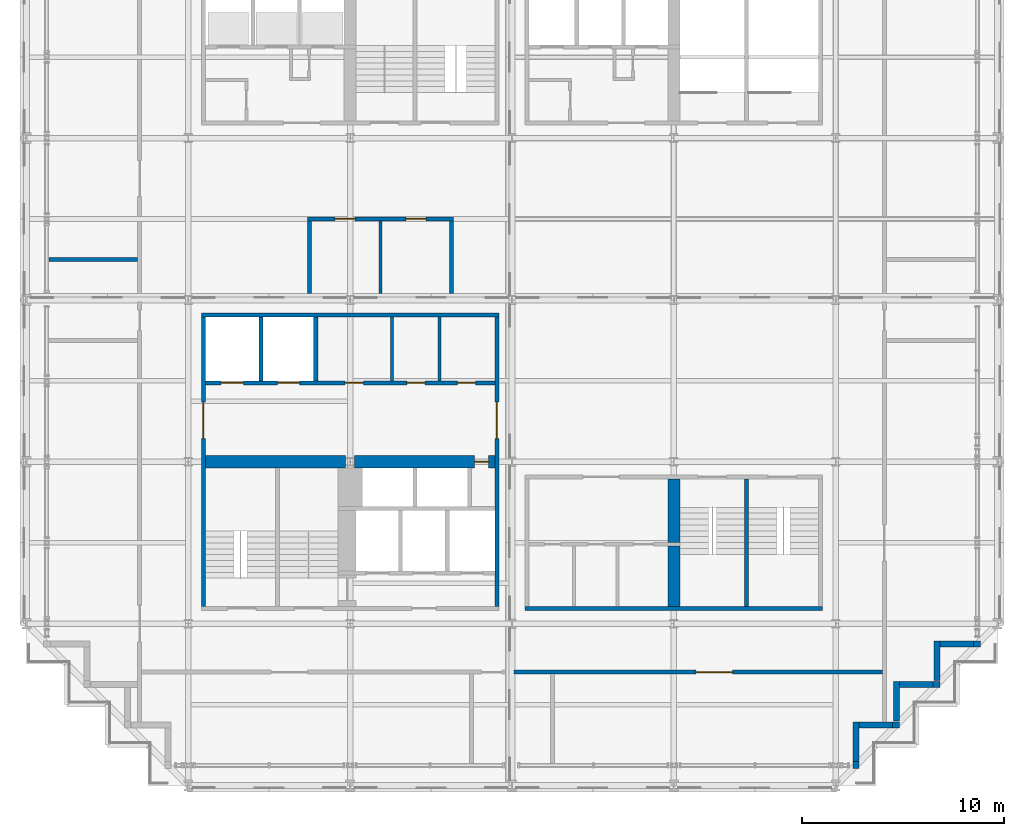
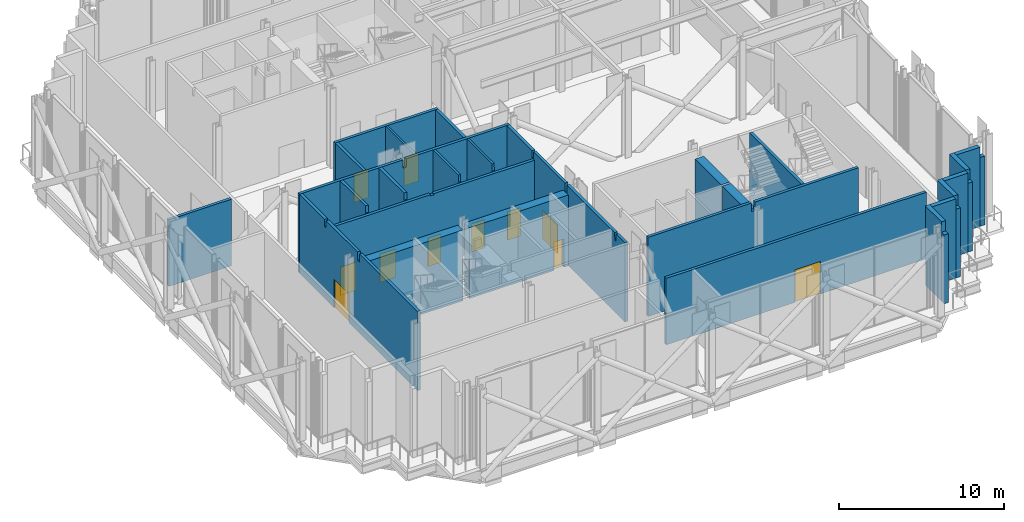
# One storey, part 18 of 25: 30 walls, 11 doors, 11 openings.
"""IFC4 building model written with IfcOpenShell, lengths in metres."""

from ifc_helpers import new_model, si_unit, direction, frame, frame_2d, origin, place, context, subcontext, project, spatial, polyline, rectangle, outline, extrude, material, layer, layer_set, type_object, element, fill, save


model = new_model("IFC4")

# Units and contexts
model_context = context("Model", 3, precision=1e-05, world=origin(), true_north=direction((0.0, 1.0)))
body_context = subcontext(model_context, "Body", "Model", "MODEL_VIEW")
ifc_project = project(units=[si_unit("LENGTHUNIT", "METRE"), si_unit("AREAUNIT", "SQUARE_METRE"), si_unit("VOLUMEUNIT", "CUBIC_METRE"), si_unit("PLANEANGLEUNIT", "RADIAN"), si_unit("MASSUNIT", "GRAM", prefix="KILO")], contexts=[model_context])

# Site, building, storey
site_placement = place(None, origin())
site = spatial("IfcSite", under=ifc_project, at=site_placement, CompositionType="ELEMENT")
building_placement = place(site_placement, origin())
building = spatial("IfcBuilding", under=site, at=building_placement, Name="Immortelle Media Tower", CompositionType="ELEMENT")
storey_placement = place(building_placement, frame((0.0, 0.0, 114.0)))
storey = spatial("IfcBuildingStorey", under=building, at=storey_placement, Name="L22", CompositionType="ELEMENT", Elevation=114.0)

# Wall, opening, door
ifc_material_1 = material(Name="Fire-rated masonry blockwork", Category="masonry")
ifc_layer_1 = layer(ifc_material_1, 0.60009765625)
ifc_layer_set_1 = layer_set([ifc_layer_1], Name="Fire-rated masonry blockwork")
wall_type_1 = type_object("IfcWallType", Name="Core grid-line wall 600", PredefinedType="PARTITIONING", material=ifc_layer_set_1)
wall_1_placement = place(storey_placement, frame((16.22705078125, 16.0, 0.0), z_axis=(0.0, 0.0, 1.0), x_axis=(1.0, 0.0, 0.0)))
wall_1 = element("IfcWall", 1, at=wall_1_placement, inside=storey, type_object=wall_type_1, Name="Core grid-line wall SW", PredefinedType="PARTITIONING", context=body_context, shape_type="SweptSolid", body=[
    extrude(rectangle(XDim=6.9228515625, YDim=0.60009765625, at=frame_2d((3.46142578125, 0.0))), origin(), (0.0, 0.0, 1.0), 5.23193359375),
])
opening_1_placement = place(wall_1_placement, frame((6.623046875, 0.0, 0.0), z_axis=(0.0, 0.0, 1.0), x_axis=(-1.0, 0.0, 0.0)))
opening_1 = element("IfcOpeningElement", 2, at=opening_1_placement, cuts=wall_1, Name="Opening L22-K014", PredefinedType="OPENING", context=body_context, shape_type="SweptSolid", body=[
    extrude(rectangle(XDim=0.699951171875, YDim=2.10009765625, at=frame_2d((0.35009765625, 1.050048828125))), frame((0.0, 0.31005859375, 0.0), z_axis=(0.0, -1.0, 0.0), x_axis=(1.0, 0.0, 0.0)), (0.0, 0.0, 1.0), 0.6201171875),
])
ifc_material_2 = material(Name="Galvanised steel door leaf and frame ASTM A653", Category="steel")
door_type_1 = type_object("IfcDoorType", Name="Service door 700 x 2100", OperationType="NOTDEFINED", PredefinedType="NOTDEFINED", material=ifc_material_2)
door_1_placement = place(opening_1_placement, origin())
door_1 = element("IfcDoor", 3, at=door_1_placement, inside=storey, type_object=door_type_1, Name="Service L22-K014", OperationType="SINGLE_SWING_RIGHT", OverallHeight=2.10009765625, OverallWidth=0.699951171875, PredefinedType="NOTDEFINED", context=body_context, shape_type="SweptSolid", body=[
    extrude(rectangle(XDim=0.699951171875, YDim=2.10009765625, at=frame_2d((0.35009765625, 1.050048828125))), frame((0.0, 0.02490234375, 0.0), z_axis=(0.0, -1.0, 0.0), x_axis=(1.0, 0.0, 0.0)), (0.0, 0.0, 1.0), 0.050048828125),
])
fill(opening_1, door_1)

# Walls
ifc_material_3 = material(Name="Fire-rated gypsum board", Category="gypsum")
ifc_layer_2 = layer(ifc_material_3, 0.02490234375)
ifc_material_4 = material(Name="Steel ASTM A653 SS Gr 50 stud frame with mineral wool", Category="steel")
ifc_layer_3 = layer(ifc_material_4, 0.10009765625)
ifc_layer_4 = layer(ifc_material_3, 0.02490234375)
ifc_layer_set_2 = layer_set([ifc_layer_2, ifc_layer_3, ifc_layer_4], Name="Steel ASTM A653 SS Gr 50 stud frame with mineral wool")
wall_type_2 = type_object("IfcWallType", Name="Core partition 150", PredefinedType="PARTITIONING", material=ifc_layer_set_2)
for number, where, z_axis, x_axis, name in (
    (4, (18.074951171875, 20.0, 0.0), (0.0, 0.0, 1.0), (0.0, 1.0, 0.0), "Core partition SW"),
    (5, (20.425048828125, 20.0, 0.0), (0.0, 0.0, 1.0), (0.0, 1.0, 0.0), "Core partition SW"),
):
    element("IfcWall", number, at=place(storey_placement, frame(where, z_axis=z_axis, x_axis=x_axis)), inside=storey, type_object=wall_type_2, Name=name, PredefinedType="PARTITIONING", context=body_context, shape_type="SweptSolid", body=[
        extrude(outline(polyline([(0.0, 0.0), (3.14990234375, 0.0), (3.14990234375, 5.85009765625), (0.08740234375, 5.85009765625), (0.08642578125, 5.318115234375), (0.0, 5.318115234375), (0.0, 0.0)])), frame((0.0, 0.074951171875, 0.0), z_axis=(0.0, -1.0, 0.0), x_axis=(1.0, 0.0, 0.0)), (0.0, 0.0, 1.0), 0.14990234375),
    ])
ifc_layer_5 = layer(ifc_material_3, 0.03759765625)
ifc_layer_6 = layer(ifc_material_4, 0.125)
ifc_layer_7 = layer(ifc_material_3, 0.03759765625)
ifc_layer_set_3 = layer_set([ifc_layer_5, ifc_layer_6, ifc_layer_7], Name="Steel ASTM A653 SS Gr 50 stud frame with mineral wool")
wall_type_3 = type_object("IfcWallType", Name="Core shaft wall 200", PredefinedType="PARTITIONING", material=ifc_layer_set_3)
wall_2_placement = place(storey_placement, frame((8.64990234375, 23.25, 0.0), z_axis=(0.0, 0.0, 1.0), x_axis=(1.0, 0.0, 0.0)))
element("IfcWall", 6, at=wall_2_placement, inside=storey, type_object=wall_type_3, Name="Core shaft wall SW", PredefinedType="PARTITIONING", context=body_context, shape_type="SweptSolid", body=[
    extrude(outline(polyline([(0.0, 0.0), (14.7001953125, 0.0), (14.699951171875, 5.85009765625), (7.469482421875, 5.85009765625), (7.468505859375, 5.23193359375), (7.2314453125, 5.23193359375), (7.23046875, 5.85009765625), (0.0, 5.85009765625), (0.0, 0.0)])), frame((0.0, 0.10009765625, 0.0), z_axis=(0.0, -1.0, 0.0), x_axis=(1.0, 0.0, 0.0)), (0.0, 0.0, 1.0), 0.199951171875),
])

# Wall, openings, doors
wall_3_placement = place(storey_placement, frame((8.85009765625, 19.89990234375, 0.0), z_axis=(0.0, 0.0, 1.0), x_axis=(1.0, 0.0, 0.0)))
wall_3 = element("IfcWall", 7, at=wall_3_placement, inside=storey, type_object=wall_type_3, Name="Core shaft wall SW", PredefinedType="PARTITIONING", context=body_context, shape_type="SweptSolid", body=[
    extrude(outline(polyline([(0.0, 0.0), (14.2998046875, 0.0), (14.300048828125, 5.318115234375), (7.26953125, 5.318115234375), (7.2685546875, 5.23193359375), (7.031494140625, 5.23193359375), (7.030517578125, 5.318115234375), (0.0, 5.318115234375), (0.0, 0.0)])), frame((0.0, 0.10009765625, 0.0), z_axis=(0.0, -1.0, 0.0), x_axis=(1.0, 0.0, 0.0)), (0.0, 0.0, 1.0), 0.199951171875),
])
opening_2_placement = place(wall_3_placement, frame((0.77490234375, 0.0, 0.0)))
opening_2 = element("IfcOpeningElement", 8, at=opening_2_placement, cuts=wall_3, Name="Opening LD", PredefinedType="OPENING", context=body_context, shape_type="SweptSolid", body=[
    extrude(rectangle(XDim=1.10009765625, YDim=2.10009765625, at=frame_2d((0.550048828125, 1.050048828125))), frame((0.0, 0.10986328125, 0.0), z_axis=(0.0, -1.0, 0.0), x_axis=(1.0, 0.0, 0.0)), (0.0, 0.0, 1.0), 0.219970703125),
])
opening_3_placement = place(wall_3_placement, frame((3.550048828125, 0.0, 0.0)))
opening_3 = element("IfcOpeningElement", 9, at=opening_3_placement, cuts=wall_3, Name="Opening LD", PredefinedType="OPENING", context=body_context, shape_type="SweptSolid", body=[
    extrude(rectangle(XDim=1.10009765625, YDim=2.10009765625, at=frame_2d((0.550048828125, 1.050048828125))), frame((0.0, 0.10986328125, 0.0), z_axis=(0.0, -1.0, 0.0), x_axis=(1.0, 0.0, 0.0)), (0.0, 0.0, 1.0), 0.219970703125),
])
opening_4_placement = place(wall_3_placement, frame((6.89990234375, 0.0, 0.0)))
opening_4 = element("IfcOpeningElement", 10, at=opening_4_placement, cuts=wall_3, Name="Opening L22-K007", PredefinedType="OPENING", context=body_context, shape_type="SweptSolid", body=[
    extrude(rectangle(XDim=0.89990234375, YDim=2.10009765625, at=frame_2d((0.449951171875, 1.050048828125))), frame((0.0, 0.10986328125, 0.0), z_axis=(0.0, -1.0, 0.0), x_axis=(1.0, 0.0, 0.0)), (0.0, 0.0, 1.0), 0.219970703125),
])
opening_5_placement = place(wall_3_placement, frame((9.949951171875, 0.0, 0.0)))
opening_5 = element("IfcOpeningElement", 11, at=opening_5_placement, cuts=wall_3, Name="Opening L22-K009", PredefinedType="OPENING", context=body_context, shape_type="SweptSolid", body=[
    extrude(rectangle(XDim=0.89990234375, YDim=2.10009765625, at=frame_2d((0.449951171875, 1.050048828125))), frame((0.0, 0.10986328125, 0.0), z_axis=(0.0, -1.0, 0.0), x_axis=(1.0, 0.0, 0.0)), (0.0, 0.0, 1.0), 0.219970703125),
])
opening_6_placement = place(wall_3_placement, frame((12.449951171875, 0.0, 0.0)))
opening_6 = element("IfcOpeningElement", 12, at=opening_6_placement, cuts=wall_3, Name="Opening L22-K012", PredefinedType="OPENING", context=body_context, shape_type="SweptSolid", body=[
    extrude(rectangle(XDim=0.89990234375, YDim=2.10009765625, at=frame_2d((0.449951171875, 1.050048828125))), frame((0.0, 0.10986328125, 0.0), z_axis=(0.0, -1.0, 0.0), x_axis=(1.0, 0.0, 0.0)), (0.0, 0.0, 1.0), 0.219970703125),
])
ifc_material_5 = material(Name="Stainless steel AISI 304", Category="steel")
door_type_2 = type_object("IfcDoorType", Name="Landing door 1100 x 2100", OperationType="SLIDING_TO_LEFT", PredefinedType="NOTDEFINED", material=ifc_material_5)
door_2_placement = place(opening_2_placement, origin())
door_2 = element("IfcDoor", 13, at=door_2_placement, inside=storey, type_object=door_type_2, Name="Landing door SA1 L22", OperationType="SLIDING_TO_LEFT", OverallHeight=2.10009765625, OverallWidth=1.10009765625, PredefinedType="NOTDEFINED", context=body_context, shape_type="SweptSolid", body=[
    extrude(rectangle(XDim=1.10009765625, YDim=2.10009765625, at=frame_2d((0.550048828125, 1.050048828125))), frame((0.0, 0.02490234375, 0.0), z_axis=(0.0, -1.0, 0.0), x_axis=(1.0, 0.0, 0.0)), (0.0, 0.0, 1.0), 0.050048828125),
])
fill(opening_2, door_2)
door_3_placement = place(opening_3_placement, origin())
door_3 = element("IfcDoor", 14, at=door_3_placement, inside=storey, type_object=door_type_2, Name="Landing door SA2 L22", OperationType="SLIDING_TO_LEFT", OverallHeight=2.10009765625, OverallWidth=1.10009765625, PredefinedType="NOTDEFINED", context=body_context, shape_type="SweptSolid", body=[
    extrude(rectangle(XDim=1.10009765625, YDim=2.10009765625, at=frame_2d((0.550048828125, 1.050048828125))), frame((0.0, 0.02490234375, 0.0), z_axis=(0.0, -1.0, 0.0), x_axis=(1.0, 0.0, 0.0)), (0.0, 0.0, 1.0), 0.050048828125),
])
fill(opening_3, door_3)
ifc_material_6 = material(Name="Timber", Category="wood")
door_type_3 = type_object("IfcDoorType", Name="Room door 900 x 2100", OperationType="NOTDEFINED", PredefinedType="NOTDEFINED", material=ifc_material_6)
door_4_placement = place(opening_4_placement, origin())
door_4 = element("IfcDoor", 15, at=door_4_placement, inside=storey, type_object=door_type_3, Name="Room L22-K007", OperationType="SINGLE_SWING_LEFT", OverallHeight=2.10009765625, OverallWidth=0.89990234375, PredefinedType="NOTDEFINED", context=body_context, shape_type="SweptSolid", body=[
    extrude(rectangle(XDim=0.89990234375, YDim=2.10009765625, at=frame_2d((0.449951171875, 1.050048828125))), frame((0.0, 0.02490234375, 0.0), z_axis=(0.0, -1.0, 0.0), x_axis=(1.0, 0.0, 0.0)), (0.0, 0.0, 1.0), 0.050048828125),
])
fill(opening_4, door_4)
door_type_4 = type_object("IfcDoorType", Name="Toilet door 900 x 2100", OperationType="NOTDEFINED", PredefinedType="NOTDEFINED", material=ifc_material_6)
door_5_placement = place(opening_5_placement, origin())
door_5 = element("IfcDoor", 16, at=door_5_placement, inside=storey, type_object=door_type_4, Name="Toilet L22-K009", OperationType="SINGLE_SWING_RIGHT", OverallHeight=2.10009765625, OverallWidth=0.89990234375, PredefinedType="NOTDEFINED", context=body_context, shape_type="SweptSolid", body=[
    extrude(rectangle(XDim=0.89990234375, YDim=2.10009765625, at=frame_2d((0.449951171875, 1.050048828125))), frame((0.0, 0.02490234375, 0.0), z_axis=(0.0, -1.0, 0.0), x_axis=(1.0, 0.0, 0.0)), (0.0, 0.0, 1.0), 0.050048828125),
])
fill(opening_5, door_5)
door_6_placement = place(opening_6_placement, origin())
door_6 = element("IfcDoor", 17, at=door_6_placement, inside=storey, type_object=door_type_4, Name="Toilet L22-K012", OperationType="SINGLE_SWING_LEFT", OverallHeight=2.10009765625, OverallWidth=0.89990234375, PredefinedType="NOTDEFINED", context=body_context, shape_type="SweptSolid", body=[
    extrude(rectangle(XDim=0.89990234375, YDim=2.10009765625, at=frame_2d((0.449951171875, 1.050048828125))), frame((0.0, 0.02490234375, 0.0), z_axis=(0.0, -1.0, 0.0), x_axis=(1.0, 0.0, 0.0)), (0.0, 0.0, 1.0), 0.050048828125),
])
fill(opening_6, door_6)

# Walls
for number, where, z_axis, x_axis, name in (
    (18, (11.60009765625, 20.0, 0.0), (0.0, 0.0, 1.0), (0.0, 1.0, 0.0), "Core shaft wall SW"),
    (19, (14.300048828125, 20.0, 0.0), (0.0, 0.0, 1.0), (0.0, 1.0, 0.0), "Core shaft wall SW"),
):
    element("IfcWall", number, at=place(storey_placement, frame(where, z_axis=z_axis, x_axis=x_axis)), inside=storey, type_object=wall_type_3, Name=name, PredefinedType="PARTITIONING", context=body_context, shape_type="SweptSolid", body=[
        extrude(outline(polyline([(0.0, 0.0), (3.14990234375, 0.0), (3.14990234375, 5.85009765625), (0.08740234375, 5.85009765625), (0.08642578125, 5.318115234375), (0.0, 5.318115234375), (0.0, 0.0)])), frame((0.0, 0.10009765625, 0.0), z_axis=(0.0, -1.0, 0.0), x_axis=(1.0, 0.0, 0.0)), (0.0, 0.0, 1.0), 0.199951171875),
    ])

# Wall, opening, door
wall_4_placement = place(storey_placement, frame((23.25, 8.85009765625, 0.0), z_axis=(0.0, 0.0, 1.0), x_axis=(0.0, 1.0, 0.0)))
wall_4 = element("IfcWall", 20, at=wall_4_placement, inside=storey, type_object=wall_type_3, Name="Core shaft wall SW", PredefinedType="PARTITIONING", context=body_context, shape_type="SweptSolid", body=[
    extrude(outline(polyline([(0.0, 0.0), (14.2998046875, 0.0), (14.300048828125, 5.85009765625), (11.237548828125, 5.85009765625), (11.236572265625, 5.318115234375), (11.0634765625, 5.318115234375), (11.0625, 5.85009765625), (7.26953125, 5.85009765625), (7.2685546875, 5.23193359375), (7.031494140625, 5.23193359375), (7.030517578125, 5.85009765625), (1.237548828125, 5.85009765625), (1.236572265625, 5.318115234375), (1.0634765625, 5.318115234375), (1.0625, 5.85009765625), (0.0, 5.85009765625), (0.0, 0.0)])), frame((0.0, 0.10009765625, 0.0), z_axis=(0.0, -1.0, 0.0), x_axis=(1.0, 0.0, 0.0)), (0.0, 0.0, 1.0), 0.199951171875),
])
opening_7_placement = place(wall_4_placement, frame((8.300048828125, 0.0, 0.0)))
opening_7 = element("IfcOpeningElement", 21, at=opening_7_placement, cuts=wall_4, Name="Opening L22-K015", PredefinedType="OPENING", context=body_context, shape_type="SweptSolid", body=[
    extrude(rectangle(XDim=1.800048828125, YDim=2.10009765625, at=frame_2d((0.89990234375, 1.050048828125))), frame((0.0, 0.10986328125, 0.0), z_axis=(0.0, -1.0, 0.0), x_axis=(1.0, 0.0, 0.0)), (0.0, 0.0, 1.0), 0.219970703125),
])
door_type_5 = type_object("IfcDoorType", Name="Lift lobby door 1800 x 2100", OperationType="DOUBLE_DOOR_SINGLE_SWING", PredefinedType="NOTDEFINED", material=ifc_material_2)
door_7_placement = place(opening_7_placement, origin())
door_7 = element("IfcDoor", 22, at=door_7_placement, inside=storey, type_object=door_type_5, Name="Lift lobby L22-K015", OperationType="DOUBLE_DOOR_SINGLE_SWING", OverallHeight=2.10009765625, OverallWidth=1.800048828125, PredefinedType="NOTDEFINED", context=body_context, shape_type="SweptSolid", body=[
    extrude(rectangle(XDim=1.800048828125, YDim=2.10009765625, at=frame_2d((0.89990234375, 1.050048828125))), frame((0.0, 0.02490234375, 0.0), z_axis=(0.0, -1.0, 0.0), x_axis=(1.0, 0.0, 0.0)), (0.0, 0.0, 1.0), 0.050048828125),
])
fill(opening_7, door_7)

# Wall
ifc_layer_8 = layer(ifc_material_3, 0.03759765625)
ifc_layer_9 = layer(ifc_material_4, 0.125)
ifc_layer_10 = layer(ifc_material_3, 0.03759765625)
ifc_layer_set_4 = layer_set([ifc_layer_8, ifc_layer_9, ifc_layer_10], Name="Steel ASTM A653 SS Gr 50 stud frame with mineral wool")
wall_type_4 = type_object("IfcWallType", Name="Fire-resisting wall 200", PredefinedType="PARTITIONING", material=ifc_layer_set_4)
wall_5_placement = place(storey_placement, frame((1.10498046875, 26.0, 0.0), z_axis=(0.0, 0.0, 1.0), x_axis=(1.0, 0.0, 0.0)))
element("IfcWall", 23, at=wall_5_placement, inside=storey, type_object=wall_type_4, Name="Fire-resisting wall L22-2", PredefinedType="PARTITIONING", context=body_context, shape_type="SweptSolid", body=[
    extrude(rectangle(XDim=4.39501953125, YDim=0.199951171875, at=frame_2d((2.197509765625, 0.0))), origin(), (0.0, 0.0, 1.0), 4.923095703125),
])

# Wall, opening, door
wall_6_placement = place(storey_placement, frame((24.094970703125, 5.60009765625, 0.0), z_axis=(0.0, 0.0, 1.0), x_axis=(1.0, 0.0, 0.0)))
wall_6 = element("IfcWall", 24, at=wall_6_placement, inside=storey, type_object=wall_type_4, Name="Fire-resisting wall L22-4B", PredefinedType="PARTITIONING", context=body_context, shape_type="SweptSolid", body=[
    extrude(rectangle(XDim=18.205078125, YDim=0.199951171875, at=frame_2d((9.1025390625, 0.0))), origin(), (0.0, 0.0, 1.0), 4.923095703125),
])
opening_8_placement = place(wall_6_placement, frame((9.0048828125, 0.0, 0.0)))
opening_8 = element("IfcOpeningElement", 25, at=opening_8_placement, cuts=wall_6, Name="Opening L22-X06", PredefinedType="OPENING", context=body_context, shape_type="SweptSolid", body=[
    extrude(rectangle(XDim=1.800048828125, YDim=2.39990234375, at=frame_2d((0.89990234375, 1.199951171875))), frame((0.0, 0.10986328125, 0.0), z_axis=(0.0, -1.0, 0.0), x_axis=(1.0, 0.0, 0.0)), (0.0, 0.0, 1.0), 0.219970703125),
])
door_type_6 = type_object("IfcDoorType", Name="Fire double door 1800 x 2400", OperationType="DOUBLE_DOOR_SINGLE_SWING", PredefinedType="DOOR", material=ifc_material_2)
door_8_placement = place(opening_8_placement, origin())
door_8 = element("IfcDoor", 26, at=door_8_placement, inside=storey, type_object=door_type_6, Name="Door L22-X06", OperationType="DOUBLE_DOOR_SINGLE_SWING", OverallHeight=2.39990234375, OverallWidth=1.800048828125, PredefinedType="DOOR", context=body_context, shape_type="SweptSolid", body=[
    extrude(rectangle(XDim=1.800048828125, YDim=2.39990234375, at=frame_2d((0.89990234375, 1.199951171875))), frame((0.0, 0.02490234375, 0.0), z_axis=(0.0, -1.0, 0.0), x_axis=(1.0, 0.0, 0.0)), (0.0, 0.0, 1.0), 0.050048828125),
])
fill(opening_8, door_8)

# Wall, openings, doors
wall_7_placement = place(storey_placement, frame((13.89990234375, 28.0, 0.0), z_axis=(0.0, 0.0, 1.0), x_axis=(1.0, 0.0, 0.0)))
wall_7 = element("IfcWall", 27, at=wall_7_placement, inside=storey, type_object=wall_type_4, Name="Fire-resisting wall L22-6", PredefinedType="PARTITIONING", context=body_context, shape_type="SweptSolid", body=[
    extrude(rectangle(XDim=7.2001953125, YDim=0.199951171875, at=frame_2d((3.60009765625, 0.0))), origin(), (0.0, 0.0, 1.0), 4.923095703125),
])
opening_9_placement = place(wall_7_placement, frame((1.35009765625, 0.0, 0.0)))
opening_9 = element("IfcOpeningElement", 28, at=opening_9_placement, cuts=wall_7, Name="Opening L22-X13", PredefinedType="OPENING", context=body_context, shape_type="SweptSolid", body=[
    extrude(rectangle(XDim=1.0, YDim=2.10009765625, at=frame_2d((0.5, 1.050048828125))), frame((0.0, 0.10986328125, 0.0), z_axis=(0.0, -1.0, 0.0), x_axis=(1.0, 0.0, 0.0)), (0.0, 0.0, 1.0), 0.219970703125),
])
opening_10_placement = place(wall_7_placement, frame((4.85009765625, 0.0, 0.0)))
opening_10 = element("IfcOpeningElement", 29, at=opening_10_placement, cuts=wall_7, Name="Opening L22-X14", PredefinedType="OPENING", context=body_context, shape_type="SweptSolid", body=[
    extrude(rectangle(XDim=1.0, YDim=2.10009765625, at=frame_2d((0.5, 1.050048828125))), frame((0.0, 0.10986328125, 0.0), z_axis=(0.0, -1.0, 0.0), x_axis=(1.0, 0.0, 0.0)), (0.0, 0.0, 1.0), 0.219970703125),
])
door_type_7 = type_object("IfcDoorType", Name="Fire door 1000 x 2100", OperationType="NOTDEFINED", PredefinedType="DOOR", material=ifc_material_2)
door_9_placement = place(opening_9_placement, origin())
door_9 = element("IfcDoor", 30, at=door_9_placement, inside=storey, type_object=door_type_7, Name="Door L22-X13", OperationType="SINGLE_SWING_LEFT", OverallHeight=2.10009765625, OverallWidth=1.0, PredefinedType="DOOR", context=body_context, shape_type="SweptSolid", body=[
    extrude(rectangle(XDim=1.0, YDim=2.10009765625, at=frame_2d((0.5, 1.050048828125))), frame((0.0, 0.02490234375, 0.0), z_axis=(0.0, -1.0, 0.0), x_axis=(1.0, 0.0, 0.0)), (0.0, 0.0, 1.0), 0.050048828125),
])
fill(opening_9, door_9)
door_10_placement = place(opening_10_placement, origin())
door_10 = element("IfcDoor", 31, at=door_10_placement, inside=storey, type_object=door_type_7, Name="Door L22-X14", OperationType="SINGLE_SWING_RIGHT", OverallHeight=2.10009765625, OverallWidth=1.0, PredefinedType="DOOR", context=body_context, shape_type="SweptSolid", body=[
    extrude(rectangle(XDim=1.0, YDim=2.10009765625, at=frame_2d((0.5, 1.050048828125))), frame((0.0, 0.02490234375, 0.0), z_axis=(0.0, -1.0, 0.0), x_axis=(1.0, 0.0, 0.0)), (0.0, 0.0, 1.0), 0.050048828125),
])
fill(opening_10, door_10)

# Walls
for number, where, z_axis, x_axis, name in (
    (32, (14.0, 24.321044921875, 0.0), (0.0, 0.0, 1.0), (0.0, 1.0, 0.0), "Fire-resisting wall L22-7"),
    (33, (21.0, 24.321044921875, 0.0), (0.0, 0.0, 1.0), (0.0, 1.0, 0.0), "Fire-resisting wall L22-9"),
):
    element("IfcWall", number, at=place(storey_placement, frame(where, z_axis=z_axis, x_axis=x_axis)), inside=storey, type_object=wall_type_4, Name=name, PredefinedType="PARTITIONING", context=body_context, shape_type="SweptSolid", body=[
        extrude(rectangle(XDim=3.578857421875, YDim=0.199951171875, at=frame_2d((1.78955078125, 0.0))), origin(), (0.0, 0.0, 1.0), 4.923095703125),
    ])
ifc_material_7 = material(Name="Pale aluminium cladding panel", Category="aluminium")
ifc_layer_11 = layer(ifc_material_7, 0.030029296875)
ifc_layer_12 = layer(ifc_material_4, 0.257568359375)
ifc_material_8 = material(Name="Moisture-resistant gypsum board", Category="gypsum")
ifc_layer_13 = layer(ifc_material_8, 0.012451171875)
ifc_layer_set_5 = layer_set([ifc_layer_11, ifc_layer_12, ifc_layer_13], Name="Steel ASTM A653 SS Gr 50 stud frame with mineral wool")
wall_type_5 = type_object("IfcWallType", Name="Pale metal clad wall 300", PredefinedType="STANDARD", material=ifc_layer_set_5)
wall_8_placement = place(storey_placement, frame((41.0, 0.85009765625, 0.0), z_axis=(0.0, 0.0, 1.0), x_axis=(0.0, 1.0, 0.0)))
element("IfcWall", 34, at=wall_8_placement, inside=storey, type_object=wall_type_5, Name="Plant corner wall L22 E 8-1", PredefinedType="STANDARD", context=body_context, shape_type="SweptSolid", body=[
    extrude(rectangle(XDim=0.338623046875, YDim=0.300048828125, at=frame_2d((0.16943359375, 0.0))), origin(), (0.0, 0.0, 1.0), 5.08740234375),
])
wall_9_placement = place(storey_placement, frame((41.0, 1.188720703125, 0.0), z_axis=(0.0, 0.0, 1.0), x_axis=(0.0, 1.0, 0.0)))
element("IfcWall", 35, at=wall_9_placement, inside=storey, type_object=wall_type_5, Name="Plant corner wall L22 E 8-2", PredefinedType="STANDARD", context=body_context, shape_type="SweptSolid", body=[
    extrude(rectangle(XDim=1.961181640625, YDim=0.300048828125, at=frame_2d((0.98046875, 0.0))), origin(), (0.0, 0.0, 1.0), 5.849609375),
])
wall_10_placement = place(storey_placement, frame((41.14990234375, 3.0, 0.0), z_axis=(0.0, 0.0, 1.0), x_axis=(1.0, 0.0, 0.0)))
element("IfcWall", 36, at=wall_10_placement, inside=storey, type_object=wall_type_5, Name="Plant corner wall L22 S 9-1", PredefinedType="STANDARD", context=body_context, shape_type="SweptSolid", body=[
    extrude(rectangle(XDim=1.661376953125, YDim=0.300048828125, at=frame_2d((0.83056640625, 0.0))), origin(), (0.0, 0.0, 1.0), 5.849609375),
])
wall_11_placement = place(storey_placement, frame((42.811279296875, 3.0, 0.0), z_axis=(0.0, 0.0, 1.0), x_axis=(1.0, 0.0, 0.0)))
element("IfcWall", 37, at=wall_11_placement, inside=storey, type_object=wall_type_5, Name="Plant corner wall L22 S 9-2", PredefinedType="STANDARD", context=body_context, shape_type="SweptSolid", body=[
    extrude(rectangle(XDim=0.338623046875, YDim=0.300048828125, at=frame_2d((0.16943359375, 0.0))), origin(), (0.0, 0.0, 1.0), 5.08740234375),
])
wall_12_placement = place(storey_placement, frame((43.0, 3.188720703125, 0.0), z_axis=(0.0, 0.0, 1.0), x_axis=(0.0, 1.0, 0.0)))
element("IfcWall", 38, at=wall_12_placement, inside=storey, type_object=wall_type_5, Name="Plant corner wall L22 E 10-2", PredefinedType="STANDARD", context=body_context, shape_type="SweptSolid", body=[
    extrude(rectangle(XDim=1.961181640625, YDim=0.300048828125, at=frame_2d((0.98046875, 0.0))), origin(), (0.0, 0.0, 1.0), 5.849609375),
])
wall_13_placement = place(storey_placement, frame((43.14990234375, 5.0, 0.0), z_axis=(0.0, 0.0, 1.0), x_axis=(1.0, 0.0, 0.0)))
element("IfcWall", 39, at=wall_13_placement, inside=storey, type_object=wall_type_5, Name="Plant corner wall L22 S 11-1", PredefinedType="STANDARD", context=body_context, shape_type="SweptSolid", body=[
    extrude(rectangle(XDim=1.661376953125, YDim=0.300048828125, at=frame_2d((0.83056640625, 0.0))), origin(), (0.0, 0.0, 1.0), 5.849609375),
])
wall_14_placement = place(storey_placement, frame((44.811279296875, 5.0, 0.0), z_axis=(0.0, 0.0, 1.0), x_axis=(1.0, 0.0, 0.0)))
element("IfcWall", 40, at=wall_14_placement, inside=storey, type_object=wall_type_5, Name="Plant corner wall L22 S 11-2", PredefinedType="STANDARD", context=body_context, shape_type="SweptSolid", body=[
    extrude(rectangle(XDim=0.338623046875, YDim=0.300048828125, at=frame_2d((0.16943359375, 0.0))), origin(), (0.0, 0.0, 1.0), 5.08740234375),
])
wall_15_placement = place(storey_placement, frame((45.0, 5.188720703125, 0.0), z_axis=(0.0, 0.0, 1.0), x_axis=(0.0, 1.0, 0.0)))
element("IfcWall", 41, at=wall_15_placement, inside=storey, type_object=wall_type_5, Name="Plant corner wall L22 E 12-2", PredefinedType="STANDARD", context=body_context, shape_type="SweptSolid", body=[
    extrude(rectangle(XDim=1.961181640625, YDim=0.300048828125, at=frame_2d((0.98046875, 0.0))), origin(), (0.0, 0.0, 1.0), 5.849609375),
])
wall_16_placement = place(storey_placement, frame((45.14990234375, 7.0, 0.0), z_axis=(0.0, 0.0, 1.0), x_axis=(1.0, 0.0, 0.0)))
element("IfcWall", 42, at=wall_16_placement, inside=storey, type_object=wall_type_5, Name="Plant corner wall L22 S 13-1", PredefinedType="STANDARD", context=body_context, shape_type="SweptSolid", body=[
    extrude(rectangle(XDim=1.661376953125, YDim=0.300048828125, at=frame_2d((0.83056640625, 0.0))), origin(), (0.0, 0.0, 1.0), 5.849609375),
])
wall_17_placement = place(storey_placement, frame((46.811279296875, 7.0, 0.0), z_axis=(0.0, 0.0, 1.0), x_axis=(1.0, 0.0, 0.0)))
element("IfcWall", 43, at=wall_17_placement, inside=storey, type_object=wall_type_5, Name="Plant corner wall L22 S 13-2", PredefinedType="STANDARD", context=body_context, shape_type="SweptSolid", body=[
    extrude(rectangle(XDim=0.338623046875, YDim=0.300048828125, at=frame_2d((0.16943359375, 0.0))), origin(), (0.0, 0.0, 1.0), 5.08740234375),
])
ifc_material_9 = material(Name="Gypsum board", Category="gypsum")
ifc_layer_14 = layer(ifc_material_9, 0.012451171875)
ifc_layer_15 = layer(ifc_material_4, 0.125)
ifc_layer_16 = layer(ifc_material_9, 0.012451171875)
ifc_layer_set_6 = layer_set([ifc_layer_14, ifc_layer_15, ifc_layer_16], Name="Steel ASTM A653 SS Gr 50 stud frame with mineral wool")
wall_type_6 = type_object("IfcWallType", Name="Partition 150", PredefinedType="PARTITIONING", material=ifc_layer_set_6)
wall_18_placement = place(storey_placement, frame((17.5, 24.321044921875, 0.0), z_axis=(0.0, 0.0, 1.0), x_axis=(0.0, 1.0, 0.0)))
element("IfcWall", 44, at=wall_18_placement, inside=storey, type_object=wall_type_6, Name="Partition L22-8", PredefinedType="PARTITIONING", context=body_context, shape_type="SweptSolid", body=[
    extrude(rectangle(XDim=3.578857421875, YDim=0.14990234375, at=frame_2d((1.78955078125, 0.0))), origin(), (0.0, 0.0, 1.0), 4.923095703125),
])

# Wall, opening, door
ifc_material_10 = material(Name="Concrete C60", Category="concrete")
ifc_layer_17 = layer(ifc_material_10, 0.199951171875)
ifc_layer_set_7 = layer_set([ifc_layer_17], Name="Concrete C60")
wall_type_7 = type_object("IfcWallType", Name="Stair shaft wall 200", PredefinedType="PARTITIONING", material=ifc_layer_set_7)
wall_19_placement = place(storey_placement, frame((8.75, 8.85009765625, 0.0), z_axis=(0.0, 0.0, 1.0), x_axis=(0.0, 1.0, 0.0)))
wall_19 = element("IfcWall", 45, at=wall_19_placement, inside=storey, type_object=wall_type_7, Name="Stair shaft wall SW", PredefinedType="PARTITIONING", context=body_context, shape_type="SweptSolid", body=[
    extrude(outline(polyline([(0.0, 0.0), (14.2998046875, 0.0), (14.300048828125, 5.85009765625), (11.237548828125, 5.85009765625), (11.236572265625, 5.318115234375), (11.0634765625, 5.318115234375), (11.0625, 5.85009765625), (7.26953125, 5.85009765625), (7.2685546875, 5.23193359375), (7.031494140625, 5.23193359375), (7.030517578125, 5.85009765625), (0.0, 5.85009765625), (0.0, 0.0)])), frame((0.0, 0.10009765625, 0.0), z_axis=(0.0, -1.0, 0.0), x_axis=(1.0, 0.0, 0.0)), (0.0, 0.0, 1.0), 0.199951171875),
])
opening_11_placement = place(wall_19_placement, frame((8.300048828125, 0.0, 0.0)))
opening_11 = element("IfcOpeningElement", 46, at=opening_11_placement, cuts=wall_19, Name="Opening L22-K001", PredefinedType="OPENING", context=body_context, shape_type="SweptSolid", body=[
    extrude(rectangle(XDim=1.800048828125, YDim=2.10009765625, at=frame_2d((0.89990234375, 1.050048828125))), frame((0.0, 0.10986328125, 0.0), z_axis=(0.0, -1.0, 0.0), x_axis=(1.0, 0.0, 0.0)), (0.0, 0.0, 1.0), 0.219970703125),
])
door_11_placement = place(opening_11_placement, origin())
door_11 = element("IfcDoor", 47, at=door_11_placement, inside=storey, type_object=door_type_5, Name="Lift lobby L22-K001", OperationType="DOUBLE_DOOR_SINGLE_SWING", OverallHeight=2.10009765625, OverallWidth=1.800048828125, PredefinedType="NOTDEFINED", context=body_context, shape_type="SweptSolid", body=[
    extrude(rectangle(XDim=1.800048828125, YDim=2.10009765625, at=frame_2d((0.89990234375, 1.050048828125))), frame((0.0, 0.02490234375, 0.0), z_axis=(0.0, -1.0, 0.0), x_axis=(1.0, 0.0, 0.0)), (0.0, 0.0, 1.0), 0.050048828125),
])
fill(opening_11, door_11)

# Walls
wall_20_placement = place(storey_placement, frame((24.64990234375, 8.75, 0.0), z_axis=(0.0, 0.0, 1.0), x_axis=(1.0, 0.0, 0.0)))
element("IfcWall", 48, at=wall_20_placement, inside=storey, type_object=wall_type_7, Name="Stair shaft wall SE", PredefinedType="PARTITIONING", context=body_context, shape_type="SweptSolid", body=[
    extrude(outline(polyline([(0.0, 0.0), (14.7001953125, 0.0), (14.699951171875, 5.85009765625), (7.469482421875, 5.85009765625), (7.468505859375, 5.23193359375), (7.2314453125, 5.23193359375), (7.23046875, 5.85009765625), (0.0, 5.85009765625), (0.0, 0.0)])), frame((0.0, 0.10009765625, 0.0), z_axis=(0.0, -1.0, 0.0), x_axis=(1.0, 0.0, 0.0)), (0.0, 0.0, 1.0), 0.199951171875),
])
wall_21_placement = place(storey_placement, frame((35.60009765625, 8.85009765625, 0.0), z_axis=(0.0, 0.0, 1.0), x_axis=(0.0, 1.0, 0.0)))
element("IfcWall", 49, at=wall_21_placement, inside=storey, type_object=wall_type_7, Name="Stair shaft wall SE", PredefinedType="PARTITIONING", context=body_context, shape_type="SweptSolid", body=[
    extrude(rectangle(XDim=6.2998046875, YDim=0.199951171875, at=frame_2d((3.14990234375, 0.0))), origin(), (0.0, 0.0, 1.0), 5.85009765625),
])
ifc_layer_18 = layer(ifc_material_10, 0.60009765625)
ifc_layer_set_8 = layer_set([ifc_layer_18], Name="Concrete C60")
wall_type_8 = type_object("IfcWallType", Name="Stair shaft wall 600", PredefinedType="PARTITIONING", material=ifc_layer_set_8)
wall_22_placement = place(storey_placement, frame((8.85009765625, 16.0, 0.0), z_axis=(0.0, 0.0, 1.0), x_axis=(1.0, 0.0, 0.0)))
element("IfcWall", 50, at=wall_22_placement, inside=storey, type_object=wall_type_8, Name="Stair shaft wall SW", PredefinedType="PARTITIONING", context=body_context, shape_type="SweptSolid", body=[
    extrude(rectangle(XDim=6.9228515625, YDim=0.60009765625, at=frame_2d((3.46142578125, 0.0))), origin(), (0.0, 0.0, 1.0), 5.23193359375),
])
wall_23_placement = place(storey_placement, frame((32.0, 8.85009765625, 0.0), z_axis=(0.0, 0.0, 1.0), x_axis=(0.0, 1.0, 0.0)))
element("IfcWall", 51, at=wall_23_placement, inside=storey, type_object=wall_type_8, Name="Stair shaft wall SE", PredefinedType="PARTITIONING", context=body_context, shape_type="SweptSolid", body=[
    extrude(rectangle(XDim=3.0, YDim=0.60009765625, at=frame_2d((1.5, 0.0))), origin(), (0.0, 0.0, 1.0), 5.23193359375),
])
wall_24_placement = place(storey_placement, frame((32.0, 12.0, 0.0), z_axis=(0.0, 0.0, 1.0), x_axis=(0.0, 1.0, 0.0)))
element("IfcWall", 52, at=wall_24_placement, inside=storey, type_object=wall_type_8, Name="Stair shaft wall SE", PredefinedType="PARTITIONING", context=body_context, shape_type="SweptSolid", body=[
    extrude(rectangle(XDim=3.14990234375, YDim=0.60009765625, at=frame_2d((1.574951171875, 0.0))), origin(), (0.0, 0.0, 1.0), 5.23193359375),
])

save(model, "model.ifc")
